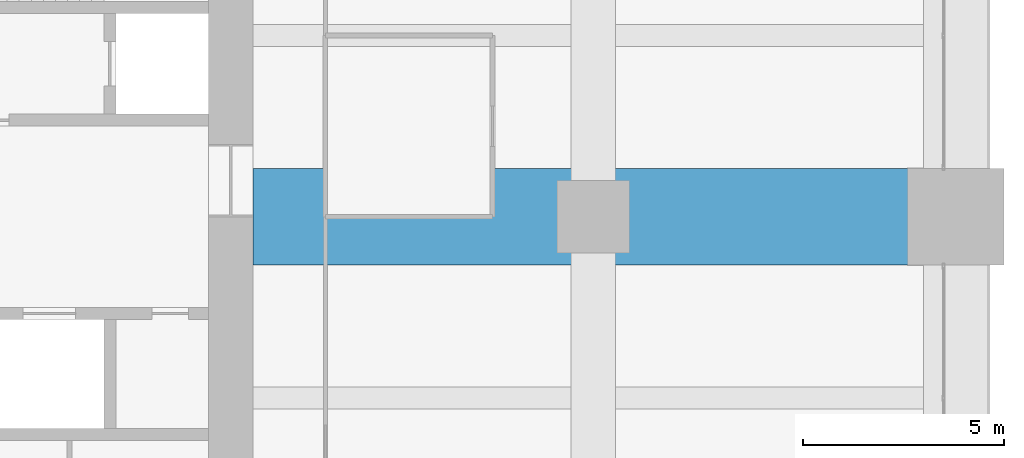
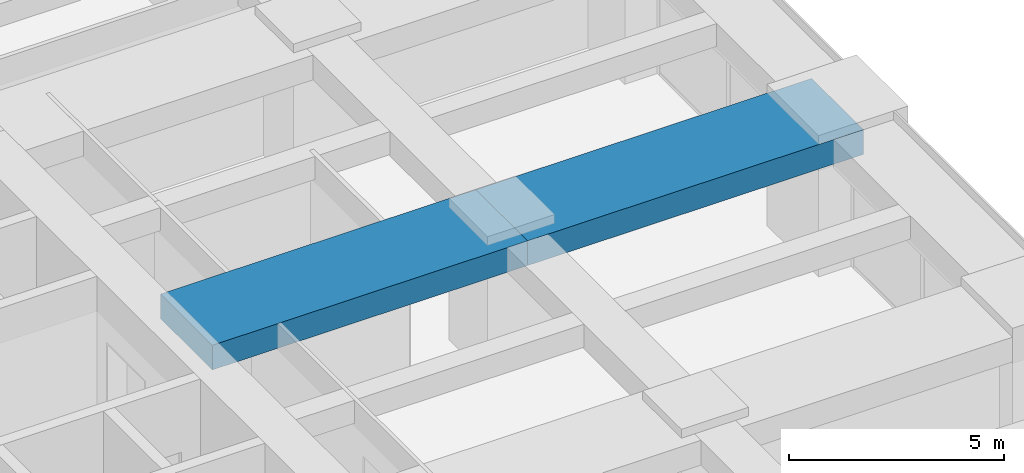
# One storey, part 22 of 42: 2 beams.
"""IFC4 building model written with IfcOpenShell, lengths in metres."""

from ifc_helpers import new_model, si_unit, direction, frame, origin, origin_2d, place, context, subcontext, project, spatial, rectangle, extrude, material, material_profile, profile_set, type_object, element, save


model = new_model("IFC4")

# Units and contexts
model_context = context("Model", 3, precision=1e-05, world=origin(), true_north=direction((0.0, 1.0)))
body_context = subcontext(model_context, "Body", "Model", "MODEL_VIEW")
ifc_project = project(units=[si_unit("LENGTHUNIT", "METRE"), si_unit("AREAUNIT", "SQUARE_METRE"), si_unit("VOLUMEUNIT", "CUBIC_METRE"), si_unit("PLANEANGLEUNIT", "RADIAN"), si_unit("MASSUNIT", "GRAM", prefix="KILO")], contexts=[model_context])

# Site, building, storey
site_placement = place(None, origin())
site = spatial("IfcSite", under=ifc_project, at=site_placement, CompositionType="ELEMENT")
building_placement = place(site_placement, origin())
building = spatial("IfcBuilding", under=site, at=building_placement, Name="Zorevar Civic Tower", CompositionType="ELEMENT")
storey_placement = place(building_placement, frame((0.0, 0.0, 149.0)))
storey = spatial("IfcBuildingStorey", under=building, at=storey_placement, Name="L36", CompositionType="ELEMENT", Elevation=149.0)

# Beams
ifc_material = material(Name="Concrete C50/60", Category="concrete")
ifc_material_profile = material_profile(ifc_material, rectangle(XDim=2.39990234375, YDim=0.699951171875, at=origin_2d()), Name="RC 2400x700")
ifc_profile_set = profile_set([ifc_material_profile], Name="Concrete C50/60")
beam_type = type_object("IfcBeamType", Name="Beam RC 2400x700", PredefinedType="BEAM", material=ifc_profile_set)
beam_1_placement = place(storey_placement, frame((45.550048828125, 27.0, 3.39990234375), z_axis=(1.0, 0.0, 0.0), x_axis=(0.0, 1.0, 0.0)))
element("IfcBeam", 1, at=beam_1_placement, inside=storey, type_object=beam_type, Name="Girder L37", PredefinedType="BEAM", context=body_context, shape_type="SweptSolid", body=[
    extrude(rectangle(XDim=2.39990234375, YDim=0.699951171875, at=origin_2d()), origin(), (0.0, 0.0, 1.0), 8.449951171875),
])
beam_2_placement = place(storey_placement, frame((54.0, 27.0, 3.39990234375), z_axis=(1.0, 0.0, 0.0), x_axis=(0.0, 1.0, 0.0)))
element("IfcBeam", 2, at=beam_2_placement, inside=storey, type_object=beam_type, Name="Girder L37", PredefinedType="BEAM", context=body_context, shape_type="SweptSolid", body=[
    extrude(rectangle(XDim=2.39990234375, YDim=0.699951171875, at=origin_2d()), origin(), (0.0, 0.0, 1.0), 9.0),
])

save(model, "model.ifc")
